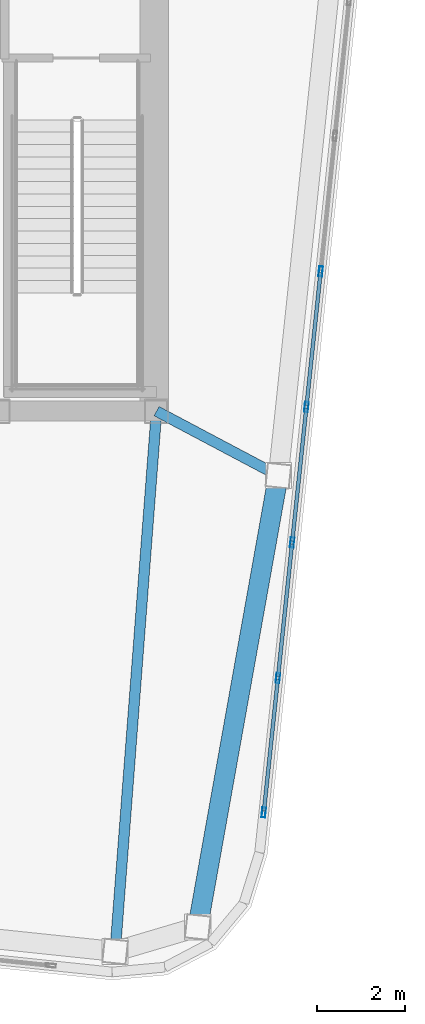
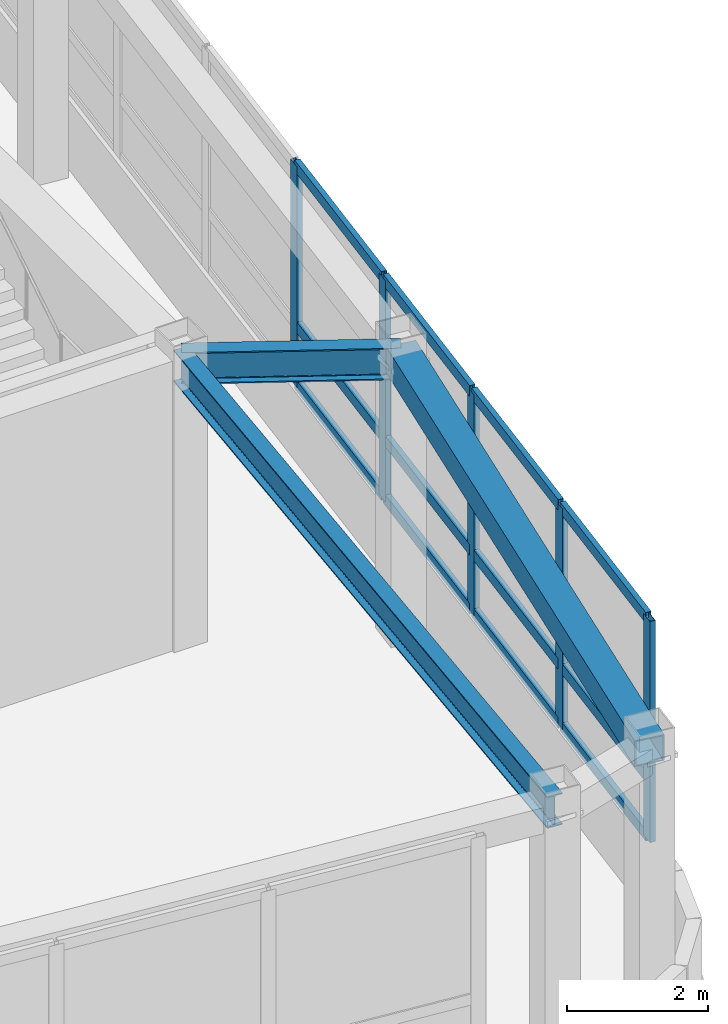
# One storey, part 11 of 23: 17 members, 3 beams, 1 element without a shape of its own.
"""IFC4 building model written with IfcOpenShell, lengths in metres."""

from ifc_helpers import new_model, si_unit, direction, frame, origin, origin_2d, place, context, subcontext, project, spatial, hollow_rectangle, i_section, extrude, material, layer, layer_set, material_profile, profile_set, type_object, element, aggregate, save


model = new_model("IFC4")

# Units and contexts
model_context = context("Model", 3, precision=1e-05, world=origin(), true_north=direction((0.0, 1.0)))
body_context = subcontext(model_context, "Body", "Model", "MODEL_VIEW")
ifc_project = project(units=[si_unit("LENGTHUNIT", "METRE"), si_unit("AREAUNIT", "SQUARE_METRE"), si_unit("VOLUMEUNIT", "CUBIC_METRE"), si_unit("PLANEANGLEUNIT", "RADIAN"), si_unit("MASSUNIT", "GRAM", prefix="KILO")], contexts=[model_context])

# Site, building, storey
site_placement = place(None, origin())
site = spatial("IfcSite", under=ifc_project, at=site_placement, CompositionType="ELEMENT")
building_placement = place(site_placement, origin())
building = spatial("IfcBuilding", under=site, at=building_placement, Name="Voryun Gate Residences", CompositionType="ELEMENT")
storey_placement = place(building_placement, frame((0.0, 0.0, 326.60009765625)))
storey = spatial("IfcBuildingStorey", under=building, at=storey_placement, Name="L80", CompositionType="ELEMENT", Elevation=326.60009765625)

# Beams
ifc_material_1 = material(Name="Steel SM355", Category="steel")
ifc_material_profile_1 = material_profile(ifc_material_1, hollow_rectangle(XDim=0.449951171875, YDim=0.449951171875, WallThickness=0.01806640625, at=origin_2d()), Name="BOX-450x450x18")
ifc_profile_set_1 = profile_set([ifc_material_profile_1], Name="Steel SM355")
beam_type_1 = type_object("IfcBeamType", Name="BM_CROWN_RING", PredefinedType="BEAM", material=ifc_profile_set_1)
beam_1_placement = place(storey_placement, frame((20.1328125, -19.083984375, 4.7998046875), z_axis=(0.175791452213, 0.984427430199, 0.0), x_axis=(-0.984427430199, 0.175791452213, 0.0)))
element("IfcBeam", 1, at=beam_1_placement, inside=storey, type_object=beam_type_1, Name="BM-L80-SPAND-07", PredefinedType="BEAM", context=body_context, shape_type="SweptSolid", body=[
    extrude(hollow_rectangle(XDim=0.449951171875, YDim=0.449951171875, WallThickness=0.01806640625, at=origin_2d()), origin(), (0.0, 0.0, 1.0), 10.384033203125),
])
ifc_material_2 = material(Name="Steel SM355", Category="steel")
ifc_material_profile_2 = material_profile(ifc_material_2, i_section(OverallWidth=0.239990234375, OverallDepth=0.550048828125, WebThickness=0.011962890625, FlangeThickness=0.02001953125, FilletRadius=0.01806640625, at=origin_2d()), Name="H-550x240x12x20")
ifc_profile_set_2 = profile_set([ifc_material_profile_2], Name="Steel SM355")
beam_type_2 = type_object("IfcBeamType", Name="BM_GIRD_550", PredefinedType="USERDEFINED", material=ifc_profile_set_2)
beam_2_placement = place(storey_placement, frame((19.199951171875, -7.39990234375, 4.75), z_axis=(-0.076459214337, -0.997072709757, 0.0), x_axis=(0.997072709757, -0.076459214337, 0.0)))
element("IfcBeam", 2, at=beam_2_placement, inside=storey, type_object=beam_type_2, Name="BM-L80-RAD-S6", ObjectType="GIRDER", PredefinedType="USERDEFINED", context=body_context, shape_type="SweptSolid", body=[
    extrude(i_section(OverallWidth=0.239990234375, OverallDepth=0.550048828125, WebThickness=0.011962890625, FlangeThickness=0.02001953125, FilletRadius=0.01806640625, at=origin_2d()), origin(), (0.0, 0.0, 1.0), 12.274169921875),
])
beam_3_placement = place(storey_placement, frame((19.199951171875, -7.39990234375, 4.75), z_axis=(0.883603317059, -0.468236241745, 0.0), x_axis=(0.468236241745, 0.883603317059, 0.0)))
element("IfcBeam", 3, at=beam_3_placement, inside=storey, type_object=beam_type_2, Name="BM-L80-RAD-E1", ObjectType="GIRDER", PredefinedType="USERDEFINED", context=body_context, shape_type="SweptSolid", body=[
    extrude(i_section(OverallWidth=0.239990234375, OverallDepth=0.550048828125, WebThickness=0.011962890625, FlangeThickness=0.02001953125, FilletRadius=0.01806640625, at=origin_2d()), origin(), (0.0, 0.0, 1.0), 3.12158203125),
])

# Curtain wall, members
ifc_material_3 = material(Name="Anodised aluminium", Category="aluminium")
ifc_layer = layer(ifc_material_3, 0.22998046875, Name="CW_SYS_LANTERN_DARK_GLASS")
ifc_layer_set = layer_set([ifc_layer], Name="Anodised aluminium")
curtain_wall_type = type_object("IfcCurtainWallType", Name="CW_SYS_LANTERN_DARK_GLASS", PredefinedType="NOTDEFINED", material=ifc_layer_set)
curtain_wall_placement = place(storey_placement, origin())
curtain_wall = element("IfcCurtainWall", 4, at=curtain_wall_placement, inside=storey, type_object=curtain_wall_type, Name="Curtain wall CW6-L80-16", PredefinedType="NOTDEFINED")
ifc_material_4 = material(Name="Anodised aluminium", Category="aluminium")
ifc_material_profile_3 = material_profile(ifc_material_4, hollow_rectangle(XDim=0.0849609375, YDim=0.22998046875, WallThickness=0.006103515625, at=origin_2d()), Name="ALU-MULL-230x85x6")
ifc_profile_set_3 = profile_set([ifc_material_profile_3], Name="Anodised aluminium")
member_type_1 = type_object("IfcMemberType", Name="CW_MULL_LANT", PredefinedType="MULLION", material=ifc_profile_set_3)
member_1_placement = place(storey_placement, frame((22.917236328125, -4.234375, 1.18994140625), z_axis=(0.0, 0.0, 1.0), x_axis=(0.994521943608, -0.104528004296, 0.0)))
member_1 = element("IfcMember", 5, at=member_1_placement, type_object=member_type_1, Name="CW6 mullion 6", PredefinedType="MULLION", context=body_context, shape_type="SweptSolid", body=[
    extrude(hollow_rectangle(XDim=0.0849609375, YDim=0.22998046875, WallThickness=0.006103515625, at=origin_2d()), origin(), (0.0, 0.0, 1.0), 3.8349609375),
])
member_2_placement = place(storey_placement, frame((22.594482421875, -7.305419921875, 1.18994140625), z_axis=(0.0, 0.0, 1.0), x_axis=(0.994521943608, -0.104528004296, 0.0)))
member_2 = element("IfcMember", 6, at=member_2_placement, type_object=member_type_1, Name="CW6 mullion 7", PredefinedType="MULLION", context=body_context, shape_type="SweptSolid", body=[
    extrude(hollow_rectangle(XDim=0.0849609375, YDim=0.22998046875, WallThickness=0.006103515625, at=origin_2d()), origin(), (0.0, 0.0, 1.0), 3.8349609375),
])
member_3_placement = place(storey_placement, frame((22.271728515625, -10.376220703125, 1.18994140625), z_axis=(0.0, 0.0, 1.0), x_axis=(0.994521943608, -0.104528004296, 0.0)))
member_3 = element("IfcMember", 7, at=member_3_placement, type_object=member_type_1, Name="CW6 mullion 8", PredefinedType="MULLION", context=body_context, shape_type="SweptSolid", body=[
    extrude(hollow_rectangle(XDim=0.0849609375, YDim=0.22998046875, WallThickness=0.006103515625, at=origin_2d()), origin(), (0.0, 0.0, 1.0), 3.8349609375),
])
member_4_placement = place(storey_placement, frame((21.948974609375, -13.447265625, 1.18994140625), z_axis=(0.0, 0.0, 1.0), x_axis=(0.994521943608, -0.104528004296, 0.0)))
member_4 = element("IfcMember", 8, at=member_4_placement, type_object=member_type_1, Name="CW6 mullion 9", PredefinedType="MULLION", context=body_context, shape_type="SweptSolid", body=[
    extrude(hollow_rectangle(XDim=0.0849609375, YDim=0.22998046875, WallThickness=0.006103515625, at=origin_2d()), origin(), (0.0, 0.0, 1.0), 3.8349609375),
])
member_5_placement = place(storey_placement, frame((21.629150390625, -16.48828125, 1.18994140625), z_axis=(0.0, 0.0, 1.0), x_axis=(0.994521943608, -0.104528004296, 0.0)))
member_5 = element("IfcMember", 9, at=member_5_placement, type_object=member_type_1, Name="CW6 mullion 10", PredefinedType="MULLION", context=body_context, shape_type="SweptSolid", body=[
    extrude(hollow_rectangle(XDim=0.0849609375, YDim=0.22998046875, WallThickness=0.006103515625, at=origin_2d()), origin(), (0.0, 0.0, 1.0), 3.8349609375),
])
ifc_material_5 = material(Name="Anodised aluminium", Category="aluminium")
ifc_material_profile_4 = material_profile(ifc_material_5, hollow_rectangle(XDim=0.0849609375, YDim=0.18994140625, WallThickness=0.006103515625, at=origin_2d()), Name="ALU-TRAN-190x85x6")
ifc_profile_set_4 = profile_set([ifc_material_profile_4], Name="Anodised aluminium")
member_type_2 = type_object("IfcMemberType", Name="CW_TRAN_LANT", PredefinedType="USERDEFINED", material=ifc_profile_set_4)
member_6_placement = place(storey_placement, frame((22.9140625, -4.26416015625, 1.219970703125), z_axis=(-0.104500100479, -0.994524876009, 0.0), x_axis=(0.994524876009, -0.104500100479, 0.0)))
member_6 = element("IfcMember", 10, at=member_6_placement, type_object=member_type_2, Name="CW6 transom 6.1", ObjectType="TRANSOM", PredefinedType="USERDEFINED", context=body_context, shape_type="SweptSolid", body=[
    extrude(hollow_rectangle(XDim=0.0849609375, YDim=0.18994140625, WallThickness=0.006103515625, at=origin_2d()), origin(), (0.0, 0.0, 1.0), 3.02783203125),
])
member_7_placement = place(storey_placement, frame((22.9140625, -4.26416015625, 2.239990234375), z_axis=(-0.104500100479, -0.994524876009, 0.0), x_axis=(0.994524876009, -0.104500100479, 0.0)))
member_7 = element("IfcMember", 11, at=member_7_placement, type_object=member_type_2, Name="CW6 transom 6.2", ObjectType="TRANSOM", PredefinedType="USERDEFINED", context=body_context, shape_type="SweptSolid", body=[
    extrude(hollow_rectangle(XDim=0.0849609375, YDim=0.18994140625, WallThickness=0.006103515625, at=origin_2d()), origin(), (0.0, 0.0, 1.0), 3.02783203125),
])
member_8_placement = place(storey_placement, frame((22.9140625, -4.26416015625, 4.994873046875), z_axis=(-0.104500100479, -0.994524876009, 0.0), x_axis=(0.994524876009, -0.104500100479, 0.0)))
member_8 = element("IfcMember", 12, at=member_8_placement, type_object=member_type_2, Name="CW6 transom 6.3", ObjectType="TRANSOM", PredefinedType="USERDEFINED", context=body_context, shape_type="SweptSolid", body=[
    extrude(hollow_rectangle(XDim=0.0849609375, YDim=0.18994140625, WallThickness=0.006103515625, at=origin_2d()), origin(), (0.0, 0.0, 1.0), 3.02783203125),
])
member_9_placement = place(storey_placement, frame((22.59130859375, -7.335205078125, 1.219970703125), z_axis=(-0.104579851732, -0.994516492881, 0.0), x_axis=(0.994516492881, -0.104579851732, 0.0)))
member_9 = element("IfcMember", 13, at=member_9_placement, type_object=member_type_2, Name="CW6 transom 7.1", ObjectType="TRANSOM", PredefinedType="USERDEFINED", context=body_context, shape_type="SweptSolid", body=[
    extrude(hollow_rectangle(XDim=0.0849609375, YDim=0.18994140625, WallThickness=0.006103515625, at=origin_2d()), origin(), (0.0, 0.0, 1.0), 3.02783203125),
])
member_10_placement = place(storey_placement, frame((22.59130859375, -7.335205078125, 2.239990234375), z_axis=(-0.104579851732, -0.994516492881, 0.0), x_axis=(0.994516492881, -0.104579851732, 0.0)))
member_10 = element("IfcMember", 14, at=member_10_placement, type_object=member_type_2, Name="CW6 transom 7.2", ObjectType="TRANSOM", PredefinedType="USERDEFINED", context=body_context, shape_type="SweptSolid", body=[
    extrude(hollow_rectangle(XDim=0.0849609375, YDim=0.18994140625, WallThickness=0.006103515625, at=origin_2d()), origin(), (0.0, 0.0, 1.0), 3.02783203125),
])
member_11_placement = place(storey_placement, frame((22.59130859375, -7.335205078125, 4.994873046875), z_axis=(-0.104579851732, -0.994516492881, 0.0), x_axis=(0.994516492881, -0.104579851732, 0.0)))
member_11 = element("IfcMember", 15, at=member_11_placement, type_object=member_type_2, Name="CW6 transom 7.3", ObjectType="TRANSOM", PredefinedType="USERDEFINED", context=body_context, shape_type="SweptSolid", body=[
    extrude(hollow_rectangle(XDim=0.0849609375, YDim=0.18994140625, WallThickness=0.006103515625, at=origin_2d()), origin(), (0.0, 0.0, 1.0), 3.02783203125),
])
member_12_placement = place(storey_placement, frame((22.2685546875, -10.406005859375, 1.219970703125), z_axis=(-0.104579851732, -0.994516492881, 0.0), x_axis=(0.994516492881, -0.104579851732, 0.0)))
member_12 = element("IfcMember", 16, at=member_12_placement, type_object=member_type_2, Name="CW6 transom 8.1", ObjectType="TRANSOM", PredefinedType="USERDEFINED", context=body_context, shape_type="SweptSolid", body=[
    extrude(hollow_rectangle(XDim=0.0849609375, YDim=0.18994140625, WallThickness=0.006103515625, at=origin_2d()), origin(), (0.0, 0.0, 1.0), 3.02783203125),
])
member_13_placement = place(storey_placement, frame((22.2685546875, -10.406005859375, 2.239990234375), z_axis=(-0.104579851732, -0.994516492881, 0.0), x_axis=(0.994516492881, -0.104579851732, 0.0)))
member_13 = element("IfcMember", 17, at=member_13_placement, type_object=member_type_2, Name="CW6 transom 8.2", ObjectType="TRANSOM", PredefinedType="USERDEFINED", context=body_context, shape_type="SweptSolid", body=[
    extrude(hollow_rectangle(XDim=0.0849609375, YDim=0.18994140625, WallThickness=0.006103515625, at=origin_2d()), origin(), (0.0, 0.0, 1.0), 3.02783203125),
])
member_14_placement = place(storey_placement, frame((22.2685546875, -10.406005859375, 4.994873046875), z_axis=(-0.104579851732, -0.994516492881, 0.0), x_axis=(0.994516492881, -0.104579851732, 0.0)))
member_14 = element("IfcMember", 18, at=member_14_placement, type_object=member_type_2, Name="CW6 transom 8.3", ObjectType="TRANSOM", PredefinedType="USERDEFINED", context=body_context, shape_type="SweptSolid", body=[
    extrude(hollow_rectangle(XDim=0.0849609375, YDim=0.18994140625, WallThickness=0.006103515625, at=origin_2d()), origin(), (0.0, 0.0, 1.0), 3.02783203125),
])
member_15_placement = place(storey_placement, frame((21.94580078125, -13.47705078125, 1.219970703125), z_axis=(-0.104566085446, -0.994517940398, 0.0), x_axis=(0.994517940398, -0.104566085446, 0.0)))
member_15 = element("IfcMember", 19, at=member_15_placement, type_object=member_type_2, Name="CW6 transom 9.1", ObjectType="TRANSOM", PredefinedType="USERDEFINED", context=body_context, shape_type="SweptSolid", body=[
    extrude(hollow_rectangle(XDim=0.0849609375, YDim=0.18994140625, WallThickness=0.006103515625, at=origin_2d()), origin(), (0.0, 0.0, 1.0), 2.997802734375),
])
member_16_placement = place(storey_placement, frame((21.94580078125, -13.47705078125, 2.239990234375), z_axis=(-0.104566085446, -0.994517940398, 0.0), x_axis=(0.994517940398, -0.104566085446, 0.0)))
member_16 = element("IfcMember", 20, at=member_16_placement, type_object=member_type_2, Name="CW6 transom 9.2", ObjectType="TRANSOM", PredefinedType="USERDEFINED", context=body_context, shape_type="SweptSolid", body=[
    extrude(hollow_rectangle(XDim=0.0849609375, YDim=0.18994140625, WallThickness=0.006103515625, at=origin_2d()), origin(), (0.0, 0.0, 1.0), 2.997802734375),
])
member_17_placement = place(storey_placement, frame((21.94580078125, -13.47705078125, 4.994873046875), z_axis=(-0.104566085446, -0.994517940398, 0.0), x_axis=(0.994517940398, -0.104566085446, 0.0)))
member_17 = element("IfcMember", 21, at=member_17_placement, type_object=member_type_2, Name="CW6 transom 9.3", ObjectType="TRANSOM", PredefinedType="USERDEFINED", context=body_context, shape_type="SweptSolid", body=[
    extrude(hollow_rectangle(XDim=0.0849609375, YDim=0.18994140625, WallThickness=0.006103515625, at=origin_2d()), origin(), (0.0, 0.0, 1.0), 2.997802734375),
])
aggregate(curtain_wall, [member_1, member_2, member_3, member_4, member_5, member_6, member_7, member_8, member_9, member_10, member_11, member_12, member_13, member_14, member_15, member_16, member_17])

save(model, "model.ifc")
